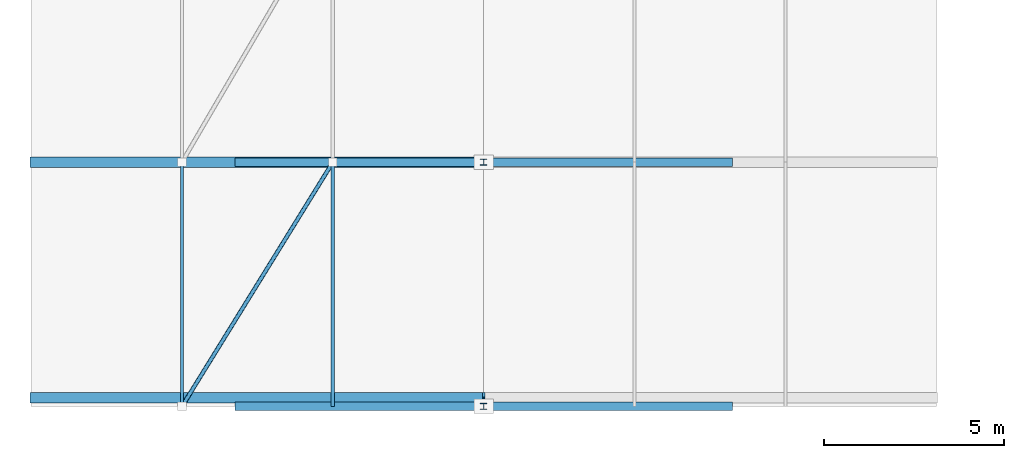
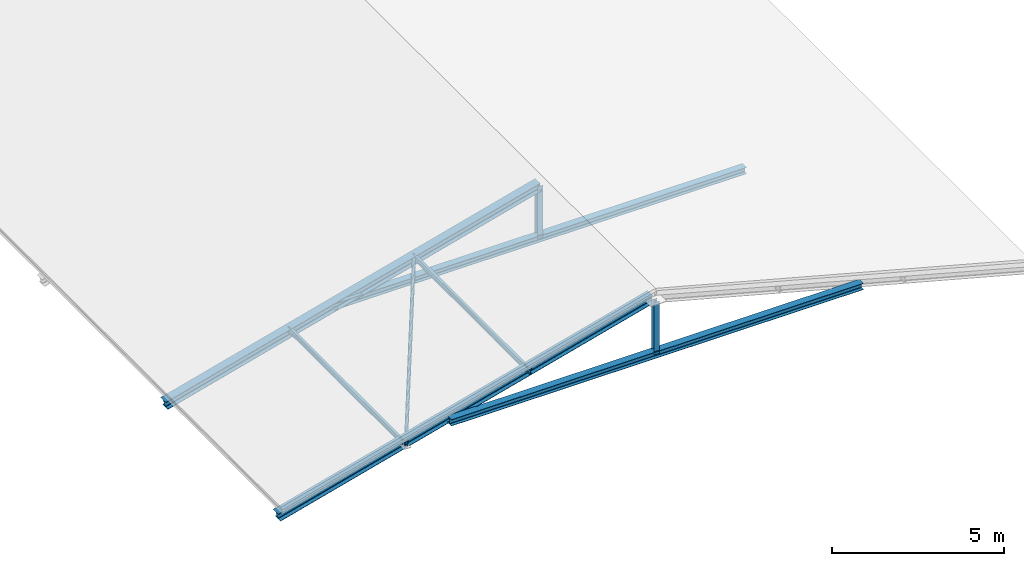
# One storey, part 1 of 31: 9 members.
"""IFC4 building model written with IfcOpenShell, lengths in metres."""

from ifc_helpers import new_model, si_unit, direction, frame, origin, origin_2d, place, context, subcontext, project, spatial, hollow_circle, i_section, extrude, material, material_profile, profile_set, type_object, element, save


model = new_model("IFC4")

# Units and contexts
model_context = context("Model", 3, precision=1e-05, world=origin(), true_north=direction((0.0, 1.0)))
body_context = subcontext(model_context, "Body", "Model", "MODEL_VIEW")
ifc_project = project(units=[si_unit("LENGTHUNIT", "METRE"), si_unit("AREAUNIT", "SQUARE_METRE"), si_unit("VOLUMEUNIT", "CUBIC_METRE"), si_unit("PLANEANGLEUNIT", "RADIAN"), si_unit("MASSUNIT", "GRAM", prefix="KILO")], contexts=[model_context])

# Site, building, storey
site_placement = place(None, origin())
site = spatial("IfcSite", under=ifc_project, at=site_placement, CompositionType="ELEMENT")
building_placement = place(site_placement, origin())
building = spatial("IfcBuilding", under=site, at=building_placement, Name="Clarverna Civic Hall", CompositionType="ELEMENT")
storey_placement = place(building_placement, frame((0.0, 0.0, 31.199951171875)))
storey = spatial("IfcBuildingStorey", under=building, at=storey_placement, Name="RF", CompositionType="ELEMENT", Elevation=31.199951171875)

# Members
ifc_material = material(Name="Steel S355", Category="steel")
ifc_material_profile_1 = material_profile(ifc_material, hollow_circle(Radius=0.05712890625, WallThickness=0.00634765625, at=origin_2d()), Name="CHS 114.3x6.3")
ifc_profile_set_1 = profile_set([ifc_material_profile_1], Name="Steel S355")
member_type_1 = type_object("IfcMemberType", Name="BRR-2", PredefinedType="BRACE", material=ifc_profile_set_1)
member_placement = place(storey_placement, frame((4.199951171875, 0.0, -13.564453125), z_axis=(0.520354046674, 0.842493824449, 0.139412416504), x_axis=(-0.850802415717, 0.525485727124, 0.0)))
element("IfcMember", 1, at=member_placement, inside=storey, type_object=member_type_1, Name="BRR-2-001", PredefinedType="BRACE", context=body_context, shape_type="SweptSolid", body=[
    extrude(hollow_circle(Radius=0.05712890625, WallThickness=0.00634765625, at=origin_2d()), origin(), (0.0, 0.0, 1.0), 8.0712890625),
])
ifc_material_profile_2 = material_profile(ifc_material, i_section(OverallWidth=0.239990234375, OverallDepth=0.22998046875, WebThickness=0.007568359375, FlangeThickness=0.011962890625, FilletRadius=0.02099609375, at=origin_2d()), Name="HEA 240")
ifc_profile_set_2 = profile_set([ifc_material_profile_2], Name="Steel S355")
member_type_2 = type_object("IfcMemberType", Name="CH-03", PredefinedType="CHORD", material=ifc_profile_set_2)
for number, where, z_axis, x_axis, name in (
    (2, (5.669921875, 0.0, -13.170654296875), (1.0, 0.0, 0.0), (0.0, 1.0, 0.0), "CH-03-001"),
    (3, (5.669921875, 6.800048828125, -13.170654296875), (1.0, 0.0, 0.0), (0.0, 1.0, 0.0), "CH-03-002"),
):
    element("IfcMember", number, at=place(storey_placement, frame(where, z_axis=z_axis, x_axis=x_axis)), inside=storey, type_object=member_type_2, Name=name, PredefinedType="CHORD", context=body_context, shape_type="SweptSolid", body=[
        extrude(i_section(OverallWidth=0.239990234375, OverallDepth=0.22998046875, WebThickness=0.007568359375, FlangeThickness=0.011962890625, FilletRadius=0.02099609375, at=origin_2d()), origin(), (0.0, 0.0, 1.0), 13.860107421875),
    ])
ifc_material_profile_3 = material_profile(ifc_material, i_section(OverallWidth=0.179931640625, OverallDepth=0.1708984375, WebThickness=0.006103515625, FlangeThickness=0.009521484375, FilletRadius=0.014892578125, at=origin_2d()), Name="HEA 180")
ifc_profile_set_3 = profile_set([ifc_material_profile_3], Name="Steel S355")
member_type_3 = type_object("IfcMemberType", Name="CH-04", PredefinedType="CHORD", material=ifc_profile_set_3)
for number, where, z_axis, x_axis, name in (
    (4, (12.60009765625, 0.0, -13.170654296875), (0.0, 0.0, 1.0), (1.0, 0.0, 0.0), "CH-04-099"),
    (5, (12.60009765625, 6.800048828125, -13.170654296875), (0.0, 0.0, 1.0), (1.0, 0.0, 0.0), "CH-04-100"),
):
    element("IfcMember", number, at=place(storey_placement, frame(where, z_axis=z_axis, x_axis=x_axis)), inside=storey, type_object=member_type_3, Name=name, PredefinedType="CHORD", context=body_context, shape_type="SweptSolid", body=[
        extrude(i_section(OverallWidth=0.179931640625, OverallDepth=0.1708984375, WebThickness=0.006103515625, FlangeThickness=0.009521484375, FilletRadius=0.014892578125, at=origin_2d()), origin(), (0.0, 0.0, 1.0), 1.85693359375),
    ])
ifc_material_profile_4 = material_profile(ifc_material, i_section(OverallWidth=0.091064453125, OverallDepth=0.179931640625, WebThickness=0.00537109375, FlangeThickness=0.008056640625, FilletRadius=0.009033203125, at=origin_2d()), Name="IPE 180")
ifc_profile_set_4 = profile_set([ifc_material_profile_4], Name="Steel S355")
member_type_4 = type_object("IfcMemberType", Name="PU-RF2", PredefinedType="PURLIN", material=ifc_profile_set_4)
for number, where, z_axis, x_axis, name in (
    (6, (4.199951171875, 0.0, -13.504638671875), (0.0, 1.0, 0.0), (-1.0, 0.0, 0.0), "PU-RF2-001"),
    (7, (8.39990234375, 0.0, -12.379150390625), (0.0, 1.0, 0.0), (-1.0, 0.0, 0.0), "PU-RF2-005"),
):
    element("IfcMember", number, at=place(storey_placement, frame(where, z_axis=z_axis, x_axis=x_axis)), inside=storey, type_object=member_type_4, Name=name, PredefinedType="PURLIN", context=body_context, shape_type="SweptSolid", body=[
        extrude(i_section(OverallWidth=0.091064453125, OverallDepth=0.179931640625, WebThickness=0.00537109375, FlangeThickness=0.008056640625, FilletRadius=0.009033203125, at=origin_2d()), origin(), (0.0, 0.0, 1.0), 6.800048828125),
    ])
ifc_material_profile_5 = material_profile(ifc_material, i_section(OverallWidth=0.300048828125, OverallDepth=0.2900390625, WebThickness=0.008544921875, FlangeThickness=0.013916015625, FilletRadius=0.027099609375, at=origin_2d()), Name="HEA 300")
ifc_profile_set_5 = profile_set([ifc_material_profile_5], Name="Steel S355")
member_type_5 = type_object("IfcMemberType", Name="RF-03", PredefinedType="RAFTER", material=ifc_profile_set_5)
for number, where, z_axis, x_axis, name in (
    (8, (0.0, 0.239990234375, -14.68994140625), (0.965925161037, 0.0, 0.258821527843), (0.0, 1.0, 0.0), "RF-03-001"),
    (9, (0.0, 6.800048828125, -14.68994140625), (0.965925161037, 0.0, 0.258821527843), (0.0, 1.0, 0.0), "RF-03-003"),
):
    element("IfcMember", number, at=place(storey_placement, frame(where, z_axis=z_axis, x_axis=x_axis)), inside=storey, type_object=member_type_5, Name=name, PredefinedType="RAFTER", context=body_context, shape_type="SweptSolid", body=[
        extrude(i_section(OverallWidth=0.300048828125, OverallDepth=0.2900390625, WebThickness=0.008544921875, FlangeThickness=0.013916015625, FilletRadius=0.027099609375, at=origin_2d()), origin(), (0.0, 0.0, 1.0), 13.044677734375),
    ])

save(model, "model.ifc")
